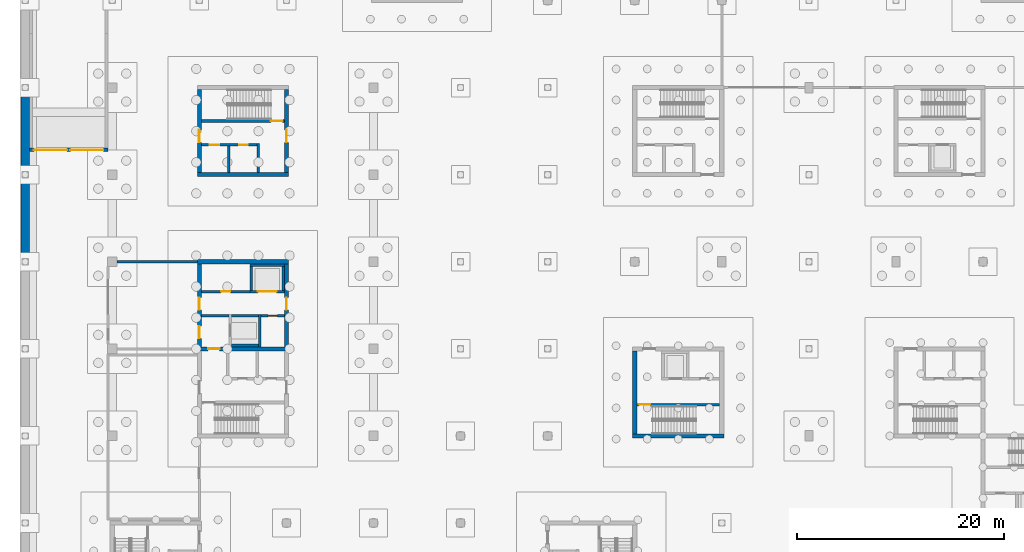
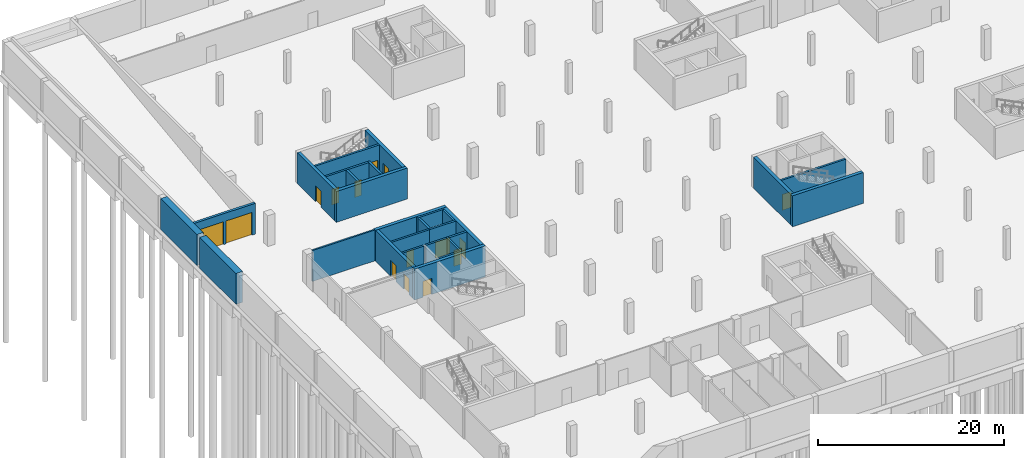
# One storey, part 10 of 23: 28 walls, 15 doors, 15 openings.
"""IFC4 building model written with IfcOpenShell, lengths in metres."""

import ifcopenshell
import ifcopenshell.guid

model = None  # the IFC model being written
_history = None  # IfcOwnerHistory: only IFC2X3 demands one
_inside = {}  # id of a spatial element -> (the spatial element, [elements in it])
_under = {}  # id of a project, library or spatial element -> (it, [spatial elements below it])
_declared = {}  # id of a project -> (the project, [libraries it declares])
_typed = {}  # id of a type object -> (the type object, [elements of that type])
_made_of = {}  # id of a material, layer set ... -> (it, [elements and type objects made of it])


def new_model(schema):
    """Start an empty IFC model of exactly this schema.

    Asked for "IFC4X3", IfcOpenShell would pick the latest addendum, in which some entities
    have other attributes; the version numbers below select the first issue.
    IFC2X3 requires an IfcOwnerHistory on every rooted entity: one is made here for all.
    """
    global model, _history
    if schema == "IFC4X3":
        model = ifcopenshell.file(schema_version=(4, 3, 0, 0))
    else:
        model = ifcopenshell.file(schema=schema)
    _inside.clear()
    _under.clear()
    _declared.clear()
    _typed.clear()
    _made_of.clear()
    _history = None
    if model.schema == "IFC2X3":
        org = make("IfcOrganization", Name="unknown")
        user = make(
            "IfcPersonAndOrganization",
            ThePerson=make("IfcPerson", FamilyName="unknown"),
            TheOrganization=org,
        )
        app = make(
            "IfcApplication",
            ApplicationDeveloper=org,
            Version="unknown",
            ApplicationFullName="unknown",
            ApplicationIdentifier="unknown",
        )
        _history = make(
            "IfcOwnerHistory",
            OwningUser=user,
            OwningApplication=app,
            ChangeAction="ADDED",
            CreationDate=0,
        )
    return model


def make(cls, **values):
    """One entity of the class cls with the attributes given. An attribute that is None is left unset."""
    return model.create_entity(
        cls, **{name: value for name, value in values.items() if value is not None}
    )


def rooted(cls, **values):
    """An entity with a GlobalId (a new one), such as an element, a storey or a relation."""
    return make(cls, GlobalId=ifcopenshell.guid.new(), OwnerHistory=_history, **values)


def si_unit(unit_type, name, prefix=None):
    """IfcSIUnit, for example si_unit("LENGTHUNIT", "METRE", prefix="MILLI")."""
    return make("IfcSIUnit", UnitType=unit_type, Prefix=prefix, Name=name)


def assignment(units):
    """IfcUnitAssignment: the units of a project."""
    return None if units is None else make("IfcUnitAssignment", Units=units)


def point(xyz):
    """IfcCartesianPoint."""
    return None if xyz is None else make("IfcCartesianPoint", Coordinates=xyz)


def direction(xyz):
    """IfcDirection."""
    return None if xyz is None else make("IfcDirection", DirectionRatios=xyz)


def frame(location, z_axis=None, x_axis=None):
    """IfcAxis2Placement3D, a coordinate frame: its origin and axes. An axis left out is left unset."""
    return make(
        "IfcAxis2Placement3D",
        Location=point(location),
        Axis=direction(z_axis),
        RefDirection=direction(x_axis),
    )


def frame_2d(location, x_axis=None):
    """IfcAxis2Placement2D, a coordinate frame in the plane: its origin and x axis."""
    return make(
        "IfcAxis2Placement2D", Location=point(location), RefDirection=direction(x_axis)
    )


def origin():
    """The frame at (0, 0, 0) with its axes left unset."""
    return frame((0.0, 0.0, 0.0))


def place(relative_to, where):
    """IfcLocalPlacement: puts the frame where relative to a parent placement (None: the world)."""
    return make(
        "IfcLocalPlacement", PlacementRelTo=relative_to, RelativePlacement=where
    )


def context(
    kind, dimensions, precision=None, world=None, true_north=None, identifier=None
):
    """IfcGeometricRepresentationContext, for example the 3D "Model" context."""
    return make(
        "IfcGeometricRepresentationContext",
        ContextIdentifier=identifier,
        ContextType=kind,
        CoordinateSpaceDimension=dimensions,
        Precision=precision,
        WorldCoordinateSystem=world,
        TrueNorth=true_north,
    )


def subcontext(parent, identifier, kind, view, scale=None):
    """IfcGeometricRepresentationSubContext, for example "Body" below "Model"."""
    return make(
        "IfcGeometricRepresentationSubContext",
        ContextIdentifier=identifier,
        ContextType=kind,
        ParentContext=parent,
        TargetScale=scale,
        TargetView=view,
    )


def project(units=None, contexts=None):
    """IfcProject with its units and contexts."""
    return rooted(
        "IfcProject",
        Name="project",
        RepresentationContexts=contexts,
        UnitsInContext=assignment(units),
    )


def spatial(cls, under=None, at=None, **own):
    """A site, building, storey or space (cls), placed at a placement, below another one or the project."""
    s = rooted(cls, ObjectPlacement=at, **own)
    if under is not None:
        _under.setdefault(under.id(), (under, []))[1].append(s)
    return s


def profile(cls, at=None, kind="AREA", **sizes):
    """A parametric profile (cls). Its sizes go by their IFC names, for example OverallWidth=200.0."""
    return make(cls, ProfileType=kind, Position=at, **sizes)


def rectangle(**sizes):
    """IfcRectangleProfileDef."""
    return profile("IfcRectangleProfileDef", **sizes)


def extrude(swept, where, along, depth):
    """IfcExtrudedAreaSolid: the profile swept, set in the frame where, extruded along a direction by depth."""
    return make(
        "IfcExtrudedAreaSolid",
        SweptArea=swept,
        Position=where,
        ExtrudedDirection=direction(along),
        Depth=depth,
    )


def shape(context_of_items, identifier, shape_type, items):
    """IfcShapeRepresentation: the items that make up one representation, for example the "Body"."""
    return make(
        "IfcShapeRepresentation",
        ContextOfItems=context_of_items,
        RepresentationIdentifier=identifier,
        RepresentationType=shape_type,
        Items=items,
    )


def material(Name=None, Category=None):
    """IfcMaterial."""
    return make("IfcMaterial", Name=Name, Category=Category)


def layer(
    of_material, thickness, ventilated=None, Name=None, Category=None, Priority=None
):
    """IfcMaterialLayer: one layer of a wall or slab, of a material (None: an air gap)."""
    return make(
        "IfcMaterialLayer",
        Material=of_material,
        LayerThickness=thickness,
        IsVentilated=ventilated,
        Name=Name,
        Category=Category,
        Priority=Priority,
    )


def layer_set(layers, Name=None):
    """IfcMaterialLayerSet."""
    return make("IfcMaterialLayerSet", MaterialLayers=layers, LayerSetName=Name)


def made_of(thing, what):
    """Note that an element or type object is made of a material, layer set ...; save() writes the relation."""
    if what is not None:
        _made_of.setdefault(what.id(), (what, []))[1].append(thing)
    return thing


def type_object(cls, material=None, **own):
    """A type object (cls), such as IfcWallType, which elements share."""
    return made_of(rooted(cls, **own), material)


def element(
    cls,
    number,
    at=None,
    inside=None,
    cuts=None,
    type_object=None,
    material=None,
    context=None,
    identifier="Body",
    shape_type=None,
    held_by="IfcProductDefinitionShape",
    body=None,
    shapes=None,
    **own,
):
    """One element of the class cls, such as IfcWall. Its Tag is "e" and its number.

    at: its placement. inside: the storey or other place that contains it. cuts: it is an
    opening in that element (IfcRelVoidsElement). A single representation is given by context,
    identifier, shape_type and body (its items); several are given by shapes. held_by: the class
    of the entity that holds the representations. save() writes the other relations.
    """
    e = rooted(cls, Tag="e%d" % number, ObjectPlacement=at, **own)
    if body is not None:
        shapes = [shape(context, identifier, shape_type, body)]
    if shapes is not None:
        e.Representation = make(held_by, Representations=shapes)
    if inside is not None:
        _inside.setdefault(inside.id(), (inside, []))[1].append(e)
    if cuts is not None:
        rooted(
            "IfcRelVoidsElement", RelatingBuildingElement=cuts, RelatedOpeningElement=e
        )
    if type_object is not None:
        _typed.setdefault(type_object.id(), (type_object, []))[1].append(e)
    return made_of(e, material)


def fill(opening, filler):
    """IfcRelFillsElement: the door or window that sits in an opening."""
    return rooted(
        "IfcRelFillsElement",
        RelatingOpeningElement=opening,
        RelatedBuildingElement=filler,
    )


def aggregate(whole, parts):
    """IfcRelAggregates: a whole, such as a stair, and the parts it consists of."""
    return rooted("IfcRelAggregates", RelatingObject=whole, RelatedObjects=parts)


def save(model, path):
    """Write the relations noted so far, then the file.

    IfcRelAggregates (storeys below a building ...), IfcRelContainedInSpatialStructure (elements
    in a storey), IfcRelDefinesByType, IfcRelAssociatesMaterial and IfcRelDeclares: one each for
    every whole, place, type object, material and project.
    """
    for whole, parts in _under.values():
        aggregate(whole, parts)
    for where, things in _inside.values():
        rooted(
            "IfcRelContainedInSpatialStructure",
            RelatedElements=things,
            RelatingStructure=where,
        )
    for kind, things in _typed.values():
        rooted("IfcRelDefinesByType", RelatedObjects=things, RelatingType=kind)
    for what, things in _made_of.values():
        rooted("IfcRelAssociatesMaterial", RelatedObjects=things, RelatingMaterial=what)
    for by, libraries in _declared.values():
        rooted("IfcRelDeclares", RelatingContext=by, RelatedDefinitions=libraries)
    model.write(path)


model = new_model("IFC4")

# Units and contexts
model_context = context("Model", 3, precision=1e-05, world=origin(), true_north=direction((0.0, 1.0)))
body_context = subcontext(model_context, "Body", "Model", "MODEL_VIEW")
ifc_project = project(units=[si_unit("LENGTHUNIT", "METRE"), si_unit("AREAUNIT", "SQUARE_METRE"), si_unit("VOLUMEUNIT", "CUBIC_METRE"), si_unit("PLANEANGLEUNIT", "RADIAN"), si_unit("MASSUNIT", "GRAM", prefix="KILO")], contexts=[model_context])

# Site, building, storey
site_placement = place(None, origin())
site = spatial("IfcSite", under=ifc_project, at=site_placement, CompositionType="ELEMENT")
building_placement = place(site_placement, origin())
building = spatial("IfcBuilding", under=site, at=building_placement, Name="Hlaing Beacon Police Headquarters", CompositionType="ELEMENT")
storey_placement = place(building_placement, frame((0.0, 0.0, -4.5)))
storey = spatial("IfcBuildingStorey", under=building, at=storey_placement, Name="B1", CompositionType="ELEMENT", Elevation=-4.5)

# Walls
ifc_material_1 = material(Name="Concrete C60/75", Category="concrete")
ifc_layer_1 = layer(ifc_material_1, 0.39990234375)
ifc_layer_set_1 = layer_set([ifc_layer_1], Name="Concrete C60/75")
wall_type_1 = type_object("IfcWallType", Name="Core shear wall 400", PredefinedType="SHEAR", material=ifc_layer_set_1)
wall_1_placement = place(storey_placement, frame((58.60009765625, 33.60009765625, 0.0), z_axis=(0.0, 0.0, 1.0), x_axis=(1.0, 0.0, 0.0)))
element("IfcWall", 1, at=wall_1_placement, inside=storey, type_object=wall_type_1, Name="Core shear wall", PredefinedType="SHEAR", context=body_context, shape_type="SweptSolid", body=[
    extrude(rectangle(XDim=8.7998046875, YDim=0.39990234375, at=frame_2d((4.39990234375, 0.0))), origin(), (0.0, 0.0, 1.0), 4.050048828125),
])
wall_2_placement = place(storey_placement, frame((58.800048828125, 33.800048828125, 0.0), z_axis=(0.0, 0.0, 1.0), x_axis=(0.0, 1.0, 0.0)))
element("IfcWall", 2, at=wall_2_placement, inside=storey, type_object=wall_type_1, Name="Core shear wall", PredefinedType="SHEAR", context=body_context, shape_type="SweptSolid", body=[
    extrude(rectangle(XDim=8.0, YDim=0.39990234375, at=frame_2d((4.0, 0.0))), origin(), (0.0, 0.0, 1.0), 4.050048828125),
])

# Wall, opening, door
wall_3_placement = place(storey_placement, frame((16.60009765625, 42.0, 0.0), z_axis=(0.0, 0.0, 1.0), x_axis=(1.0, 0.0, 0.0)))
wall_3 = element("IfcWall", 3, at=wall_3_placement, inside=storey, type_object=wall_type_1, Name="Core shear wall", PredefinedType="SHEAR", context=body_context, shape_type="SweptSolid", body=[
    extrude(rectangle(XDim=8.7998046875, YDim=0.39990234375, at=frame_2d((4.39990234375, 0.0))), origin(), (0.0, 0.0, 1.0), 4.050048828125),
])
opening_1_placement = place(wall_3_placement, frame((1.050048828125, 0.0, 0.0)))
opening_1 = element("IfcOpeningElement", 4, at=opening_1_placement, cuts=wall_3, Name="Opening B1-953", PredefinedType="OPENING", context=body_context, shape_type="SweptSolid", body=[
    extrude(rectangle(XDim=1.10009765625, YDim=2.10009765625, at=frame_2d((0.550048828125, 1.050048828125))), frame((0.0, 0.2099609375, 0.0), z_axis=(0.0, -1.0, 0.0), x_axis=(1.0, 0.0, 0.0)), (0.0, 0.0, 1.0), 0.419921875),
])
ifc_material_2 = material(Name="Steel fire door leaf", Category="steel")
ifc_layer_2 = layer(ifc_material_2, 0.070068359375)
ifc_layer_set_2 = layer_set([ifc_layer_2], Name="Steel fire door leaf")
door_type_1 = type_object("IfcDoorType", Name="Steel fire door FD60S 1100x2100", OperationType="SINGLE_SWING_LEFT", PredefinedType="DOOR", material=ifc_layer_set_2)
door_1_placement = place(opening_1_placement, frame((1.10009765625, 0.0, 0.0), z_axis=(0.0, 0.0, 1.0), x_axis=(-1.0, 0.0, 0.0)))
door_1 = element("IfcDoor", 5, at=door_1_placement, inside=storey, type_object=door_type_1, Name="Door Firefighting Lobby Stair", OperationType="SINGLE_SWING_LEFT", OverallHeight=2.10009765625, OverallWidth=1.10009765625, PredefinedType="DOOR", context=body_context, shape_type="SweptSolid", body=[
    extrude(rectangle(XDim=1.10009765625, YDim=2.10009765625, at=frame_2d((0.550048828125, 1.050048828125))), frame((0.0, 0.034912109375, 0.0), z_axis=(0.0, -1.0, 0.0), x_axis=(1.0, 0.0, 0.0)), (0.0, 0.0, 1.0), 0.070068359375),
])
fill(opening_1, door_1)

# Wall
wall_4_placement = place(storey_placement, frame((16.60009765625, 50.39990234375, 0.0), z_axis=(0.0, 0.0, 1.0), x_axis=(1.0, 0.0, 0.0)))
element("IfcWall", 6, at=wall_4_placement, inside=storey, type_object=wall_type_1, Name="Core shear wall", PredefinedType="SHEAR", context=body_context, shape_type="SweptSolid", body=[
    extrude(rectangle(XDim=8.7998046875, YDim=0.39990234375, at=frame_2d((4.39990234375, 0.0))), origin(), (0.0, 0.0, 1.0), 4.050048828125),
])

# Wall, openings, doors
wall_5_placement = place(storey_placement, frame((16.800048828125, 42.199951171875, 0.0), z_axis=(0.0, 0.0, 1.0), x_axis=(0.0, 1.0, 0.0)))
wall_5 = element("IfcWall", 7, at=wall_5_placement, inside=storey, type_object=wall_type_1, Name="Core shear wall", PredefinedType="SHEAR", context=body_context, shape_type="SweptSolid", body=[
    extrude(rectangle(XDim=8.0, YDim=0.39990234375, at=frame_2d((4.0, 0.0))), origin(), (0.0, 0.0, 1.0), 4.050048828125),
])
opening_2_placement = place(wall_5_placement, frame((3.550048828125, 0.0, 0.0)))
opening_2 = element("IfcOpeningElement", 8, at=opening_2_placement, cuts=wall_5, Name="Opening B1-950", PredefinedType="OPENING", context=body_context, shape_type="SweptSolid", body=[
    extrude(rectangle(XDim=1.199951171875, YDim=2.10009765625, at=frame_2d((0.60009765625, 1.050048828125))), frame((0.0, 0.2099609375, 0.0), z_axis=(0.0, -1.0, 0.0), x_axis=(1.0, 0.0, 0.0)), (0.0, 0.0, 1.0), 0.419921875),
])
opening_3_placement = place(wall_5_placement, frame((0.800048828125, 0.0, 0.0)))
opening_3 = element("IfcOpeningElement", 9, at=opening_3_placement, cuts=wall_5, Name="Opening B1-952", PredefinedType="OPENING", context=body_context, shape_type="SweptSolid", body=[
    extrude(rectangle(XDim=1.199951171875, YDim=2.10009765625, at=frame_2d((0.60009765625, 1.050048828125))), frame((0.0, 0.2099609375, 0.0), z_axis=(0.0, -1.0, 0.0), x_axis=(1.0, 0.0, 0.0)), (0.0, 0.0, 1.0), 0.419921875),
])
ifc_material_3 = material(Name="Steel fire door leaf", Category="steel")
ifc_layer_3 = layer(ifc_material_3, 0.070068359375)
ifc_layer_set_3 = layer_set([ifc_layer_3], Name="Steel fire door leaf")
door_type_2 = type_object("IfcDoorType", Name="Steel fire door FD60S 1200x2100", OperationType="SINGLE_SWING_LEFT", PredefinedType="DOOR", material=ifc_layer_set_3)
door_2_placement = place(opening_2_placement, frame((1.199951171875, 0.0, 0.0), z_axis=(0.0, 0.0, 1.0), x_axis=(-1.0, 0.0, 0.0)))
door_2 = element("IfcDoor", 10, at=door_2_placement, inside=storey, type_object=door_type_2, Name="Door Lift Lobby Entry", OperationType="SINGLE_SWING_RIGHT", OverallHeight=2.10009765625, OverallWidth=1.199951171875, PredefinedType="DOOR", context=body_context, shape_type="SweptSolid", body=[
    extrude(rectangle(XDim=1.199951171875, YDim=2.10009765625, at=frame_2d((0.599853515625, 1.050048828125))), frame((0.0, 0.034912109375, 0.0), z_axis=(0.0, -1.0, 0.0), x_axis=(1.0, 0.0, 0.0)), (0.0, 0.0, 1.0), 0.070068359375),
])
fill(opening_2, door_2)
door_3_placement = place(opening_3_placement, frame((1.199951171875, 0.0, 0.0), z_axis=(0.0, 0.0, 1.0), x_axis=(-1.0, 0.0, 0.0)))
door_3 = element("IfcDoor", 11, at=door_3_placement, inside=storey, type_object=door_type_2, Name="Door Firefighting Lobby Entry", OperationType="SINGLE_SWING_LEFT", OverallHeight=2.10009765625, OverallWidth=1.199951171875, PredefinedType="DOOR", context=body_context, shape_type="SweptSolid", body=[
    extrude(rectangle(XDim=1.199951171875, YDim=2.10009765625, at=frame_2d((0.599853515625, 1.050048828125))), frame((0.0, 0.034912109375, 0.0), z_axis=(0.0, -1.0, 0.0), x_axis=(1.0, 0.0, 0.0)), (0.0, 0.0, 1.0), 0.070068359375),
])
fill(opening_3, door_3)

# Wall, opening, door
wall_6_placement = place(storey_placement, frame((25.199951171875, 42.199951171875, 0.0), z_axis=(0.0, 0.0, 1.0), x_axis=(0.0, 1.0, 0.0)))
wall_6 = element("IfcWall", 12, at=wall_6_placement, inside=storey, type_object=wall_type_1, Name="Core shear wall", PredefinedType="SHEAR", context=body_context, shape_type="SweptSolid", body=[
    extrude(rectangle(XDim=8.0, YDim=0.39990234375, at=frame_2d((4.0, 0.0))), origin(), (0.0, 0.0, 1.0), 4.050048828125),
])
opening_4_placement = place(wall_6_placement, frame((3.550048828125, 0.0, 0.0)))
opening_4 = element("IfcOpeningElement", 13, at=opening_4_placement, cuts=wall_6, Name="Opening B1-951", PredefinedType="OPENING", context=body_context, shape_type="SweptSolid", body=[
    extrude(rectangle(XDim=1.199951171875, YDim=2.10009765625, at=frame_2d((0.60009765625, 1.050048828125))), frame((0.0, 0.2099609375, 0.0), z_axis=(0.0, -1.0, 0.0), x_axis=(1.0, 0.0, 0.0)), (0.0, 0.0, 1.0), 0.419921875),
])
door_4_placement = place(opening_4_placement, origin())
door_4 = element("IfcDoor", 14, at=door_4_placement, inside=storey, type_object=door_type_2, Name="Door Lift Lobby Entry", OperationType="SINGLE_SWING_LEFT", OverallHeight=2.10009765625, OverallWidth=1.199951171875, PredefinedType="DOOR", context=body_context, shape_type="SweptSolid", body=[
    extrude(rectangle(XDim=1.199951171875, YDim=2.10009765625, at=frame_2d((0.60009765625, 1.050048828125))), frame((0.0, 0.03515625, 0.0), z_axis=(0.0, -1.0, 0.0), x_axis=(1.0, 0.0, 0.0)), (0.0, 0.0, 1.0), 0.070068359375),
])
fill(opening_4, door_4)

# Wall
wall_7_placement = place(storey_placement, frame((16.60009765625, 58.800048828125, 0.0), z_axis=(0.0, 0.0, 1.0), x_axis=(1.0, 0.0, 0.0)))
element("IfcWall", 15, at=wall_7_placement, inside=storey, type_object=wall_type_1, Name="Core shear wall", PredefinedType="SHEAR", context=body_context, shape_type="SweptSolid", body=[
    extrude(rectangle(XDim=8.7998046875, YDim=0.39990234375, at=frame_2d((4.39990234375, 0.0))), origin(), (0.0, 0.0, 1.0), 4.050048828125),
])

# Wall, opening, door
wall_8_placement = place(storey_placement, frame((16.800048828125, 59.0, 0.0), z_axis=(0.0, 0.0, 1.0), x_axis=(0.0, 1.0, 0.0)))
wall_8 = element("IfcWall", 16, at=wall_8_placement, inside=storey, type_object=wall_type_1, Name="Core shear wall", PredefinedType="SHEAR", context=body_context, shape_type="SweptSolid", body=[
    extrude(rectangle(XDim=8.0, YDim=0.39990234375, at=frame_2d((4.0, 0.0))), origin(), (0.0, 0.0, 1.0), 4.050048828125),
])
opening_5_placement = place(wall_8_placement, frame((2.925048828125, 0.0, 0.0)))
opening_5 = element("IfcOpeningElement", 17, at=opening_5_placement, cuts=wall_8, Name="Opening B1-957", PredefinedType="OPENING", context=body_context, shape_type="SweptSolid", body=[
    extrude(rectangle(XDim=1.199951171875, YDim=2.10009765625, at=frame_2d((0.60009765625, 1.050048828125))), frame((0.0, 0.2099609375, 0.0), z_axis=(0.0, -1.0, 0.0), x_axis=(1.0, 0.0, 0.0)), (0.0, 0.0, 1.0), 0.419921875),
])
door_5_placement = place(opening_5_placement, frame((1.199951171875, 0.0, 0.0), z_axis=(0.0, 0.0, 1.0), x_axis=(-1.0, 0.0, 0.0)))
door_5 = element("IfcDoor", 18, at=door_5_placement, inside=storey, type_object=door_type_2, Name="Door Stair Lobby ST-P Entry", OperationType="SINGLE_SWING_LEFT", OverallHeight=2.10009765625, OverallWidth=1.199951171875, PredefinedType="DOOR", context=body_context, shape_type="SweptSolid", body=[
    extrude(rectangle(XDim=1.199951171875, YDim=2.10009765625, at=frame_2d((0.599853515625, 1.050048828125))), frame((0.0, 0.034912109375, 0.0), z_axis=(0.0, -1.0, 0.0), x_axis=(1.0, 0.0, 0.0)), (0.0, 0.0, 1.0), 0.070068359375),
])
fill(opening_5, door_5)

wall_9_placement = place(storey_placement, frame((25.199951171875, 59.0, 0.0), z_axis=(0.0, 0.0, 1.0), x_axis=(0.0, 1.0, 0.0)))
wall_9 = element("IfcWall", 19, at=wall_9_placement, inside=storey, type_object=wall_type_1, Name="Core shear wall", PredefinedType="SHEAR", context=body_context, shape_type="SweptSolid", body=[
    extrude(rectangle(XDim=8.0, YDim=0.39990234375, at=frame_2d((4.0, 0.0))), origin(), (0.0, 0.0, 1.0), 4.050048828125),
])
opening_6_placement = place(wall_9_placement, frame((2.925048828125, 0.0, 0.0)))
opening_6 = element("IfcOpeningElement", 20, at=opening_6_placement, cuts=wall_9, Name="Opening B1-958", PredefinedType="OPENING", context=body_context, shape_type="SweptSolid", body=[
    extrude(rectangle(XDim=1.199951171875, YDim=2.10009765625, at=frame_2d((0.60009765625, 1.050048828125))), frame((0.0, 0.2099609375, 0.0), z_axis=(0.0, -1.0, 0.0), x_axis=(1.0, 0.0, 0.0)), (0.0, 0.0, 1.0), 0.419921875),
])
door_6_placement = place(opening_6_placement, origin())
door_6 = element("IfcDoor", 21, at=door_6_placement, inside=storey, type_object=door_type_2, Name="Door Stair Lobby ST-P Entry", OperationType="SINGLE_SWING_RIGHT", OverallHeight=2.10009765625, OverallWidth=1.199951171875, PredefinedType="DOOR", context=body_context, shape_type="SweptSolid", body=[
    extrude(rectangle(XDim=1.199951171875, YDim=2.10009765625, at=frame_2d((0.60009765625, 1.050048828125))), frame((0.0, 0.03515625, 0.0), z_axis=(0.0, -1.0, 0.0), x_axis=(1.0, 0.0, 0.0)), (0.0, 0.0, 1.0), 0.070068359375),
])
fill(opening_6, door_6)

# Wall
ifc_material_4 = material(Name="Concrete blockwork 7.5 N/mm2", Category="masonry")
ifc_layer_4 = layer(ifc_material_4, 0.199951171875)
ifc_layer_set_4 = layer_set([ifc_layer_4], Name="Concrete blockwork 7.5 N/mm2")
wall_type_2 = type_object("IfcWallType", Name="Evidence store wall EI 60 200", PredefinedType="PARTITIONING", material=ifc_layer_set_4)
wall_10_placement = place(storey_placement, frame((8.85009765625, 50.39990234375, 0.0), z_axis=(0.0, 0.0, 1.0), x_axis=(1.0, 0.0, 0.0)))
element("IfcWall", 22, at=wall_10_placement, inside=storey, type_object=wall_type_2, Name="Evidence store wall EI 60 200", PredefinedType="PARTITIONING", context=body_context, shape_type="SweptSolid", body=[
    extrude(rectangle(XDim=7.75, YDim=0.199951171875, at=frame_2d((3.875, 0.0))), origin(), (0.0, 0.0, 1.0), 4.050048828125),
])

# Wall, openings, doors
ifc_material_5 = material(Name="Reinforced concrete blockwork 10 N/mm2", Category="masonry")
ifc_layer_5 = layer(ifc_material_5, 0.300048828125)
ifc_layer_set_5 = layer_set([ifc_layer_5], Name="Reinforced concrete blockwork 10 N/mm2")
wall_type_3 = type_object("IfcWallType", Name="Gate wall 300", PredefinedType="SOLIDWALL", material=ifc_layer_set_5)
wall_11_placement = place(storey_placement, frame((8.0, 61.199951171875, 0.0), z_axis=(0.0, 0.0, 1.0), x_axis=(-1.0, 0.0, 0.0)))
wall_11 = element("IfcWall", 23, at=wall_11_placement, inside=storey, type_object=wall_type_3, Name="Gate wall R1", PredefinedType="SOLIDWALL", context=body_context, shape_type="SweptSolid", body=[
    extrude(rectangle(XDim=7.60009765625, YDim=0.300048828125, at=frame_2d((3.800048828125, 0.0))), origin(), (0.0, 0.0, 1.0), 4.050048828125),
])
opening_7_placement = place(wall_11_placement, frame((0.449951171875, 0.0, 0.0)))
opening_7 = element("IfcOpeningElement", 24, at=opening_7_placement, cuts=wall_11, Name="Opening B1-023", PredefinedType="OPENING", context=body_context, shape_type="SweptSolid", body=[
    extrude(rectangle(XDim=3.199951171875, YDim=3.0, at=frame_2d((1.60009765625, 1.5))), frame((0.0, 0.16015625, 0.0), z_axis=(0.0, -1.0, 0.0), x_axis=(1.0, 0.0, 0.0)), (0.0, 0.0, 1.0), 0.320068359375),
])
opening_8_placement = place(wall_11_placement, frame((3.949951171875, 0.0, 0.0)))
opening_8 = element("IfcOpeningElement", 25, at=opening_8_placement, cuts=wall_11, Name="Opening B1-024", PredefinedType="OPENING", context=body_context, shape_type="SweptSolid", body=[
    extrude(rectangle(XDim=3.199951171875, YDim=3.0, at=frame_2d((1.60009765625, 1.5))), frame((0.0, 0.16015625, 0.0), z_axis=(0.0, -1.0, 0.0), x_axis=(1.0, 0.0, 0.0)), (0.0, 0.0, 1.0), 0.320068359375),
])
ifc_material_6 = material(Name="Galvanised steel gate", Category="steel")
door_type_3 = type_object("IfcDoorType", Name="Vehicle gate 3200x3000", OperationType="SLIDING_TO_LEFT", PredefinedType="GATE", material=ifc_material_6)
door_7_placement = place(opening_7_placement, origin())
door_7 = element("IfcDoor", 26, at=door_7_placement, inside=storey, type_object=door_type_3, Name="Vehicle gate R1", OperationType="SLIDING_TO_LEFT", OverallHeight=3.0, OverallWidth=3.199951171875, PredefinedType="GATE", context=body_context, shape_type="SweptSolid", body=[
    extrude(rectangle(XDim=3.199951171875, YDim=3.0, at=frame_2d((1.60009765625, 1.5))), frame((0.0, 0.02490234375, 0.0), z_axis=(0.0, -1.0, 0.0), x_axis=(1.0, 0.0, 0.0)), (0.0, 0.0, 1.0), 0.050048828125),
])
fill(opening_7, door_7)
door_8_placement = place(opening_8_placement, origin())
door_8 = element("IfcDoor", 27, at=door_8_placement, inside=storey, type_object=door_type_3, Name="Vehicle gate R1", OperationType="SLIDING_TO_LEFT", OverallHeight=3.0, OverallWidth=3.199951171875, PredefinedType="GATE", context=body_context, shape_type="SweptSolid", body=[
    extrude(rectangle(XDim=3.199951171875, YDim=3.0, at=frame_2d((1.60009765625, 1.5))), frame((0.0, 0.02490234375, 0.0), z_axis=(0.0, -1.0, 0.0), x_axis=(1.0, 0.0, 0.0)), (0.0, 0.0, 1.0), 0.050048828125),
])
fill(opening_8, door_8)

# Walls
ifc_material_7 = material(Name="Concrete C50/60", Category="concrete")
ifc_layer_6 = layer(ifc_material_7, 0.800048828125)
ifc_layer_set_6 = layer_set([ifc_layer_6], Name="Concrete C50/60")
wall_type_4 = type_object("IfcWallType", Name="Retaining wall 800", PredefinedType="SOLIDWALL", material=ifc_layer_set_6)
wall_12_placement = place(storey_placement, frame((0.0, 50.699951171875, 0.0), z_axis=(0.0, 0.0, 1.0), x_axis=(0.0, 1.0, 0.0)))
element("IfcWall", 28, at=wall_12_placement, inside=storey, type_object=wall_type_4, Name="STR-RW-B1-W07", PredefinedType="SOLIDWALL", context=body_context, shape_type="SweptSolid", body=[
    extrude(rectangle(XDim=7.800048828125, YDim=0.800048828125, at=frame_2d((3.89990234375, 0.0))), origin(), (0.0, 0.0, 1.0), 4.050048828125),
])
wall_13_placement = place(storey_placement, frame((0.0, 59.10009765625, 0.0), z_axis=(0.0, 0.0, 1.0), x_axis=(0.0, 1.0, 0.0)))
element("IfcWall", 29, at=wall_13_placement, inside=storey, type_object=wall_type_4, Name="STR-RW-B1-W08", PredefinedType="SOLIDWALL", context=body_context, shape_type="SweptSolid", body=[
    extrude(rectangle(XDim=7.7998046875, YDim=0.800048828125, at=frame_2d((3.89990234375, 0.0))), origin(), (0.0, 0.0, 1.0), 4.050048828125),
])

# Wall, opening, door
ifc_material_8 = material(Name="Concrete C40/50", Category="concrete")
ifc_layer_7 = layer(ifc_material_8, 0.25)
ifc_layer_set_7 = layer_set([ifc_layer_7], Name="Concrete C40/50")
wall_type_5 = type_object("IfcWallType", Name="Shaft wall 250", PredefinedType="SOLIDWALL", material=ifc_layer_set_7)
wall_14_placement = place(storey_placement, frame((59.0, 36.625, 0.0), z_axis=(0.0, 0.0, 1.0), x_axis=(1.0, 0.0, 0.0)))
wall_14 = element("IfcWall", 30, at=wall_14_placement, inside=storey, type_object=wall_type_5, Name="Stair enclosure wall", PredefinedType="SOLIDWALL", context=body_context, shape_type="SweptSolid", body=[
    extrude(rectangle(XDim=8.0, YDim=0.25, at=frame_2d((4.0, 0.0))), origin(), (0.0, 0.0, 1.0), 4.050048828125),
])
opening_9_placement = place(wall_14_placement, frame((0.199951171875, 0.0, 0.0)))
opening_9 = element("IfcOpeningElement", 31, at=opening_9_placement, cuts=wall_14, Name="Opening B1-903", PredefinedType="OPENING", context=body_context, shape_type="SweptSolid", body=[
    extrude(rectangle(XDim=1.10009765625, YDim=2.10009765625, at=frame_2d((0.550048828125, 1.050048828125))), frame((0.0, 0.135009765625, 0.0), z_axis=(0.0, -1.0, 0.0), x_axis=(1.0, 0.0, 0.0)), (0.0, 0.0, 1.0), 0.27001953125),
])
ifc_material_9 = material(Name="Steel fire door leaf", Category="steel")
ifc_layer_8 = layer(ifc_material_9, 0.070068359375)
ifc_layer_set_8 = layer_set([ifc_layer_8], Name="Steel fire door leaf")
door_type_4 = type_object("IfcDoorType", Name="Steel fire door FD60 1100x2100", OperationType="SINGLE_SWING_LEFT", PredefinedType="DOOR", material=ifc_layer_set_8)
door_9_placement = place(opening_9_placement, frame((1.10009765625, 0.0, 0.0), z_axis=(0.0, 0.0, 1.0), x_axis=(-1.0, 0.0, 0.0)))
door_9 = element("IfcDoor", 32, at=door_9_placement, inside=storey, type_object=door_type_4, Name="Door Stair ST-A", OperationType="SINGLE_SWING_LEFT", OverallHeight=2.10009765625, OverallWidth=1.10009765625, PredefinedType="DOOR", context=body_context, shape_type="SweptSolid", body=[
    extrude(rectangle(XDim=1.10009765625, YDim=2.10009765625, at=frame_2d((0.550048828125, 1.050048828125))), frame((0.0, 0.034912109375, 0.0), z_axis=(0.0, -1.0, 0.0), x_axis=(1.0, 0.0, 0.0)), (0.0, 0.0, 1.0), 0.070068359375),
])
fill(opening_9, door_9)

wall_15_placement = place(storey_placement, frame((21.699951171875, 47.52490234375, 0.0), z_axis=(0.0, 0.0, 1.0), x_axis=(-1.0, 0.0, 0.0)))
wall_15 = element("IfcWall", 33, at=wall_15_placement, inside=storey, type_object=wall_type_5, Name="Lobby wall", PredefinedType="SOLIDWALL", context=body_context, shape_type="SweptSolid", body=[
    extrude(rectangle(XDim=4.699951171875, YDim=0.25, at=frame_2d((2.35009765625, 0.0))), origin(), (0.0, 0.0, 1.0), 4.050048828125),
])
opening_10_placement = place(wall_15_placement, frame((1.89990234375, 0.0, 0.0)))
opening_10 = element("IfcOpeningElement", 34, at=opening_10_placement, cuts=wall_15, Name="Opening B1-954", PredefinedType="OPENING", context=body_context, shape_type="SweptSolid", body=[
    extrude(rectangle(XDim=0.89990234375, YDim=2.10009765625, at=frame_2d((0.449951171875, 1.050048828125))), frame((0.0, 0.135009765625, 0.0), z_axis=(0.0, -1.0, 0.0), x_axis=(1.0, 0.0, 0.0)), (0.0, 0.0, 1.0), 0.27001953125),
])
ifc_material_10 = material(Name="Steel fire door leaf", Category="steel")
ifc_layer_9 = layer(ifc_material_10, 0.070068359375)
ifc_layer_set_9 = layer_set([ifc_layer_9], Name="Steel fire door leaf")
door_type_5 = type_object("IfcDoorType", Name="Steel fire door FD60 900x2100", OperationType="SINGLE_SWING_LEFT", PredefinedType="DOOR", material=ifc_layer_set_9)
door_10_placement = place(opening_10_placement, frame((0.89990234375, 0.0, 0.0), z_axis=(0.0, 0.0, 1.0), x_axis=(-1.0, 0.0, 0.0)))
door_10 = element("IfcDoor", 35, at=door_10_placement, inside=storey, type_object=door_type_5, Name="Door Services Riser", OperationType="SINGLE_SWING_RIGHT", OverallHeight=2.10009765625, OverallWidth=0.89990234375, PredefinedType="DOOR", context=body_context, shape_type="SweptSolid", body=[
    extrude(rectangle(XDim=0.89990234375, YDim=2.10009765625, at=frame_2d((0.449951171875, 1.050048828125))), frame((0.0, 0.034912109375, 0.0), z_axis=(0.0, -1.0, 0.0), x_axis=(1.0, 0.0, 0.0)), (0.0, 0.0, 1.0), 0.070068359375),
])
fill(opening_10, door_10)

wall_16_placement = place(storey_placement, frame((25.0, 45.175048828125, 0.0), z_axis=(0.0, 0.0, 1.0), x_axis=(-1.0, 0.0, 0.0)))
wall_16 = element("IfcWall", 36, at=wall_16_placement, inside=storey, type_object=wall_type_5, Name="Lobby wall", PredefinedType="SOLIDWALL", context=body_context, shape_type="SweptSolid", body=[
    extrude(rectangle(XDim=2.25, YDim=0.25, at=frame_2d((1.125, 0.0))), origin(), (0.0, 0.0, 1.0), 4.050048828125),
])
opening_11_placement = place(wall_16_placement, frame((0.675048828125, 0.0, 0.0)))
opening_11 = element("IfcOpeningElement", 37, at=opening_11_placement, cuts=wall_16, Name="Opening B1-955", PredefinedType="OPENING", context=body_context, shape_type="SweptSolid", body=[
    extrude(rectangle(XDim=0.89990234375, YDim=2.10009765625, at=frame_2d((0.449951171875, 1.050048828125))), frame((0.0, 0.135009765625, 0.0), z_axis=(0.0, -1.0, 0.0), x_axis=(1.0, 0.0, 0.0)), (0.0, 0.0, 1.0), 0.27001953125),
])
ifc_material_11 = material(Name="Steel fire door leaf", Category="steel")
ifc_layer_10 = layer(ifc_material_11, 0.10009765625)
ifc_layer_set_10 = layer_set([ifc_layer_10], Name="Steel fire door leaf")
door_type_6 = type_object("IfcDoorType", Name="Steel fire door FD120 900x2100", OperationType="SINGLE_SWING_LEFT", PredefinedType="DOOR", material=ifc_layer_set_10)
door_11_placement = place(opening_11_placement, origin())
door_11 = element("IfcDoor", 38, at=door_11_placement, inside=storey, type_object=door_type_6, Name="Door Electrical Riser Room", OperationType="SINGLE_SWING_LEFT", OverallHeight=2.10009765625, OverallWidth=0.89990234375, PredefinedType="DOOR", context=body_context, shape_type="SweptSolid", body=[
    extrude(rectangle(XDim=0.89990234375, YDim=2.10009765625, at=frame_2d((0.449951171875, 1.050048828125))), frame((0.0, 0.050048828125, 0.0), z_axis=(0.0, -1.0, 0.0), x_axis=(1.0, 0.0, 0.0)), (0.0, 0.0, 1.0), 0.10009765625),
])
fill(opening_11, door_11)

# Wall
wall_17_placement = place(storey_placement, frame((19.64990234375, 45.175048828125, 0.0), z_axis=(0.0, 0.0, 1.0), x_axis=(-1.0, 0.0, 0.0)))
element("IfcWall", 39, at=wall_17_placement, inside=storey, type_object=wall_type_5, Name="Firefighting lobby wall", PredefinedType="SOLIDWALL", context=body_context, shape_type="SweptSolid", body=[
    extrude(rectangle(XDim=2.64990234375, YDim=0.25, at=frame_2d((1.324951171875, 0.0))), origin(), (0.0, 0.0, 1.0), 4.050048828125),
])

# Wall, opening, door
wall_18_placement = place(storey_placement, frame((25.0, 63.97509765625, 0.0), z_axis=(0.0, 0.0, 1.0), x_axis=(-1.0, 0.0, 0.0)))
wall_18 = element("IfcWall", 40, at=wall_18_placement, inside=storey, type_object=wall_type_5, Name="Stair enclosure wall", PredefinedType="SOLIDWALL", context=body_context, shape_type="SweptSolid", body=[
    extrude(rectangle(XDim=8.0, YDim=0.25, at=frame_2d((4.0, 0.0))), origin(), (0.0, 0.0, 1.0), 4.050048828125),
])
opening_12_placement = place(wall_18_placement, frame((0.199951171875, 0.0, 0.0)))
opening_12 = element("IfcOpeningElement", 41, at=opening_12_placement, cuts=wall_18, Name="Opening B1-960", PredefinedType="OPENING", context=body_context, shape_type="SweptSolid", body=[
    extrude(rectangle(XDim=1.10009765625, YDim=2.10009765625, at=frame_2d((0.550048828125, 1.050048828125))), frame((0.0, 0.135009765625, 0.0), z_axis=(0.0, -1.0, 0.0), x_axis=(1.0, 0.0, 0.0)), (0.0, 0.0, 1.0), 0.27001953125),
])
door_12_placement = place(opening_12_placement, frame((1.10009765625, 0.0, 0.0), z_axis=(0.0, 0.0, 1.0), x_axis=(-1.0, 0.0, 0.0)))
door_12 = element("IfcDoor", 42, at=door_12_placement, inside=storey, type_object=door_type_4, Name="Door Stair ST-P", OperationType="SINGLE_SWING_LEFT", OverallHeight=2.10009765625, OverallWidth=1.10009765625, PredefinedType="DOOR", context=body_context, shape_type="SweptSolid", body=[
    extrude(rectangle(XDim=1.10009765625, YDim=2.10009765625, at=frame_2d((0.550048828125, 1.050048828125))), frame((0.0, 0.034912109375, 0.0), z_axis=(0.0, -1.0, 0.0), x_axis=(1.0, 0.0, 0.0)), (0.0, 0.0, 1.0), 0.070068359375),
])
fill(opening_12, door_12)

# Wall
wall_19_placement = place(storey_placement, frame((22.47509765625, 61.800048828125, 0.0), z_axis=(0.0, 0.0, 1.0), x_axis=(0.0, -1.0, 0.0)))
element("IfcWall", 43, at=wall_19_placement, inside=storey, type_object=wall_type_5, Name="Lobby wall", PredefinedType="SOLIDWALL", context=body_context, shape_type="SweptSolid", body=[
    extrude(rectangle(XDim=2.800048828125, YDim=0.25, at=frame_2d((1.39990234375, 0.0))), origin(), (0.0, 0.0, 1.0), 4.050048828125),
])

# Wall, openings, doors
wall_20_placement = place(storey_placement, frame((22.35009765625, 61.675048828125, 0.0), z_axis=(0.0, 0.0, 1.0), x_axis=(-1.0, 0.0, 0.0)))
wall_20 = element("IfcWall", 44, at=wall_20_placement, inside=storey, type_object=wall_type_5, Name="Lobby wall", PredefinedType="SOLIDWALL", context=body_context, shape_type="SweptSolid", body=[
    extrude(rectangle(XDim=5.35009765625, YDim=0.25, at=frame_2d((2.675048828125, 0.0))), origin(), (0.0, 0.0, 1.0), 4.050048828125),
])
opening_13_placement = place(wall_20_placement, frame((3.64990234375, 0.0, 0.0)))
opening_13 = element("IfcOpeningElement", 45, at=opening_13_placement, cuts=wall_20, Name="Opening B1-956", PredefinedType="OPENING", context=body_context, shape_type="SweptSolid", body=[
    extrude(rectangle(XDim=0.89990234375, YDim=2.10009765625, at=frame_2d((0.449951171875, 1.050048828125))), frame((0.0, 0.135009765625, 0.0), z_axis=(0.0, -1.0, 0.0), x_axis=(1.0, 0.0, 0.0)), (0.0, 0.0, 1.0), 0.27001953125),
])
opening_14_placement = place(wall_20_placement, frame((0.89990234375, 0.0, 0.0)))
opening_14 = element("IfcOpeningElement", 46, at=opening_14_placement, cuts=wall_20, Name="Opening B1-959", PredefinedType="OPENING", context=body_context, shape_type="SweptSolid", body=[
    extrude(rectangle(XDim=0.800048828125, YDim=2.10009765625, at=frame_2d((0.39990234375, 1.050048828125))), frame((0.0, 0.135009765625, 0.0), z_axis=(0.0, -1.0, 0.0), x_axis=(1.0, 0.0, 0.0)), (0.0, 0.0, 1.0), 0.27001953125),
])
ifc_material_12 = material(Name="Steel fire door leaf", Category="steel")
ifc_layer_11 = layer(ifc_material_12, 0.070068359375)
ifc_layer_set_11 = layer_set([ifc_layer_11], Name="Steel fire door leaf")
door_type_7 = type_object("IfcDoorType", Name="Steel fire door FD60 800x2100", OperationType="SINGLE_SWING_LEFT", PredefinedType="DOOR", material=ifc_layer_set_11)
door_13_placement = place(opening_14_placement, origin())
door_13 = element("IfcDoor", 47, at=door_13_placement, inside=storey, type_object=door_type_7, Name="Door Services Riser", OperationType="SINGLE_SWING_RIGHT", OverallHeight=2.10009765625, OverallWidth=0.800048828125, PredefinedType="DOOR", context=body_context, shape_type="SweptSolid", body=[
    extrude(rectangle(XDim=0.800048828125, YDim=2.10009765625, at=frame_2d((0.39990234375, 1.050048828125))), frame((0.0, 0.03515625, 0.0), z_axis=(0.0, -1.0, 0.0), x_axis=(1.0, 0.0, 0.0)), (0.0, 0.0, 1.0), 0.070068359375),
])
fill(opening_14, door_13)
door_14_placement = place(opening_13_placement, origin())
door_14 = element("IfcDoor", 48, at=door_14_placement, inside=storey, type_object=door_type_5, Name="Door Cleaners' Store", OperationType="SINGLE_SWING_LEFT", OverallHeight=2.10009765625, OverallWidth=0.89990234375, PredefinedType="DOOR", context=body_context, shape_type="SweptSolid", body=[
    extrude(rectangle(XDim=0.89990234375, YDim=2.10009765625, at=frame_2d((0.449951171875, 1.050048828125))), frame((0.0, 0.03515625, 0.0), z_axis=(0.0, -1.0, 0.0), x_axis=(1.0, 0.0, 0.0)), (0.0, 0.0, 1.0), 0.070068359375),
])
fill(opening_13, door_14)

# Walls
wall_21_placement = place(storey_placement, frame((19.625, 61.550048828125, 0.0), z_axis=(0.0, 0.0, 1.0), x_axis=(0.0, -1.0, 0.0)))
element("IfcWall", 49, at=wall_21_placement, inside=storey, type_object=wall_type_5, Name="Riser wall", PredefinedType="SOLIDWALL", context=body_context, shape_type="SweptSolid", body=[
    extrude(rectangle(XDim=2.550048828125, YDim=0.25, at=frame_2d((1.27490234375, 0.0))), origin(), (0.0, 0.0, 1.0), 4.050048828125),
])
wall_22_placement = place(storey_placement, frame((24.875, 47.64990234375, 0.0), z_axis=(0.0, 0.0, 1.0), x_axis=(0.0, 1.0, 0.0)))
element("IfcWall", 50, at=wall_22_placement, inside=storey, type_object=wall_type_5, Name="Lift shaft wall EL1", PredefinedType="SOLIDWALL", context=body_context, shape_type="SweptSolid", body=[
    extrude(rectangle(XDim=2.300048828125, YDim=0.25, at=frame_2d((1.14990234375, 0.0))), origin(), (0.0, 0.0, 1.0), 4.050048828125),
])
wall_23_placement = place(storey_placement, frame((21.699951171875, 50.074951171875, 0.0), z_axis=(0.0, 0.0, 1.0), x_axis=(1.0, 0.0, 0.0)))
element("IfcWall", 51, at=wall_23_placement, inside=storey, type_object=wall_type_5, Name="Lift shaft wall EL1", PredefinedType="SOLIDWALL", context=body_context, shape_type="SweptSolid", body=[
    extrude(rectangle(XDim=3.300048828125, YDim=0.25, at=frame_2d((1.64990234375, 0.0))), origin(), (0.0, 0.0, 1.0), 4.050048828125),
])

# Wall, opening, door
wall_24_placement = place(storey_placement, frame((21.699951171875, 47.52490234375, 0.0), z_axis=(0.0, 0.0, 1.0), x_axis=(1.0, 0.0, 0.0)))
wall_24 = element("IfcWall", 52, at=wall_24_placement, inside=storey, type_object=wall_type_5, Name="Lift shaft wall EL1", PredefinedType="SOLIDWALL", context=body_context, shape_type="SweptSolid", body=[
    extrude(rectangle(XDim=3.300048828125, YDim=0.25, at=frame_2d((1.64990234375, 0.0))), origin(), (0.0, 0.0, 1.0), 4.050048828125),
])
opening_15_placement = place(wall_24_placement, frame((0.75, 0.0, 0.0)))
opening_15 = element("IfcOpeningElement", 53, at=opening_15_placement, cuts=wall_24, Name="Opening LD-EL1-B1", PredefinedType="OPENING", context=body_context, shape_type="SweptSolid", body=[
    extrude(rectangle(XDim=1.800048828125, YDim=2.10009765625, at=frame_2d((0.89990234375, 1.050048828125))), frame((0.0, 0.135009765625, 0.0), z_axis=(0.0, -1.0, 0.0), x_axis=(1.0, 0.0, 0.0)), (0.0, 0.0, 1.0), 0.27001953125),
])
ifc_material_13 = material(Name="Stainless steel lift landing door", Category="steel")
ifc_layer_12 = layer(ifc_material_13, 0.06005859375)
ifc_layer_set_12 = layer_set([ifc_layer_12], Name="Stainless steel lift landing door")
door_type_8 = type_object("IfcDoorType", Name="Lift landing door 1800x2100", OperationType="DOUBLE_DOOR_SLIDING", PredefinedType="DOOR", material=ifc_layer_set_12)
door_15_placement = place(opening_15_placement, origin())
door_15 = element("IfcDoor", 54, at=door_15_placement, inside=storey, type_object=door_type_8, Name="Landing door EL1 B1", OperationType="DOUBLE_DOOR_SLIDING", OverallHeight=2.10009765625, OverallWidth=1.800048828125, PredefinedType="DOOR", context=body_context, shape_type="SweptSolid", body=[
    extrude(rectangle(XDim=1.800048828125, YDim=2.10009765625, at=frame_2d((0.89990234375, 1.050048828125))), frame((0.0, 0.0400390625, 0.0), z_axis=(0.0, -1.0, 0.0), x_axis=(1.0, 0.0, 0.0)), (0.0, 0.0, 1.0), 0.080078125),
])
fill(opening_15, door_15)

# Walls
wall_25_placement = place(storey_placement, frame((21.824951171875, 47.64990234375, 0.0), z_axis=(0.0, 0.0, 1.0), x_axis=(0.0, 1.0, 0.0)))
element("IfcWall", 55, at=wall_25_placement, inside=storey, type_object=wall_type_5, Name="Lift shaft wall EL1", PredefinedType="SOLIDWALL", context=body_context, shape_type="SweptSolid", body=[
    extrude(rectangle(XDim=2.300048828125, YDim=0.25, at=frame_2d((1.14990234375, 0.0))), origin(), (0.0, 0.0, 1.0), 4.050048828125),
])
wall_26_placement = place(storey_placement, frame((22.625, 42.199951171875, 0.0), z_axis=(0.0, 0.0, 1.0), x_axis=(0.0, 1.0, 0.0)))
element("IfcWall", 56, at=wall_26_placement, inside=storey, type_object=wall_type_5, Name="Lift shaft wall FL2", PredefinedType="SOLIDWALL", context=body_context, shape_type="SweptSolid", body=[
    extrude(rectangle(XDim=3.10009765625, YDim=0.25, at=frame_2d((1.550048828125, 0.0))), origin(), (0.0, 0.0, 1.0), 4.050048828125),
])
for number, where, z_axis, x_axis, name in (
    (57, (19.89990234375, 45.175048828125, 0.0), (0.0, 0.0, 1.0), (1.0, 0.0, 0.0), "Lift shaft wall FL2"),
    (58, (19.89990234375, 42.324951171875, 0.0), (0.0, 0.0, 1.0), (1.0, 0.0, 0.0), "Lift shaft wall FL2"),
):
    element("IfcWall", number, at=place(storey_placement, frame(where, z_axis=z_axis, x_axis=x_axis)), inside=storey, type_object=wall_type_5, Name=name, PredefinedType="SOLIDWALL", context=body_context, shape_type="SweptSolid", body=[
        extrude(rectangle(XDim=2.60009765625, YDim=0.25, at=frame_2d((1.300048828125, 0.0))), origin(), (0.0, 0.0, 1.0), 4.050048828125),
    ])

save(model, "model.ifc")
